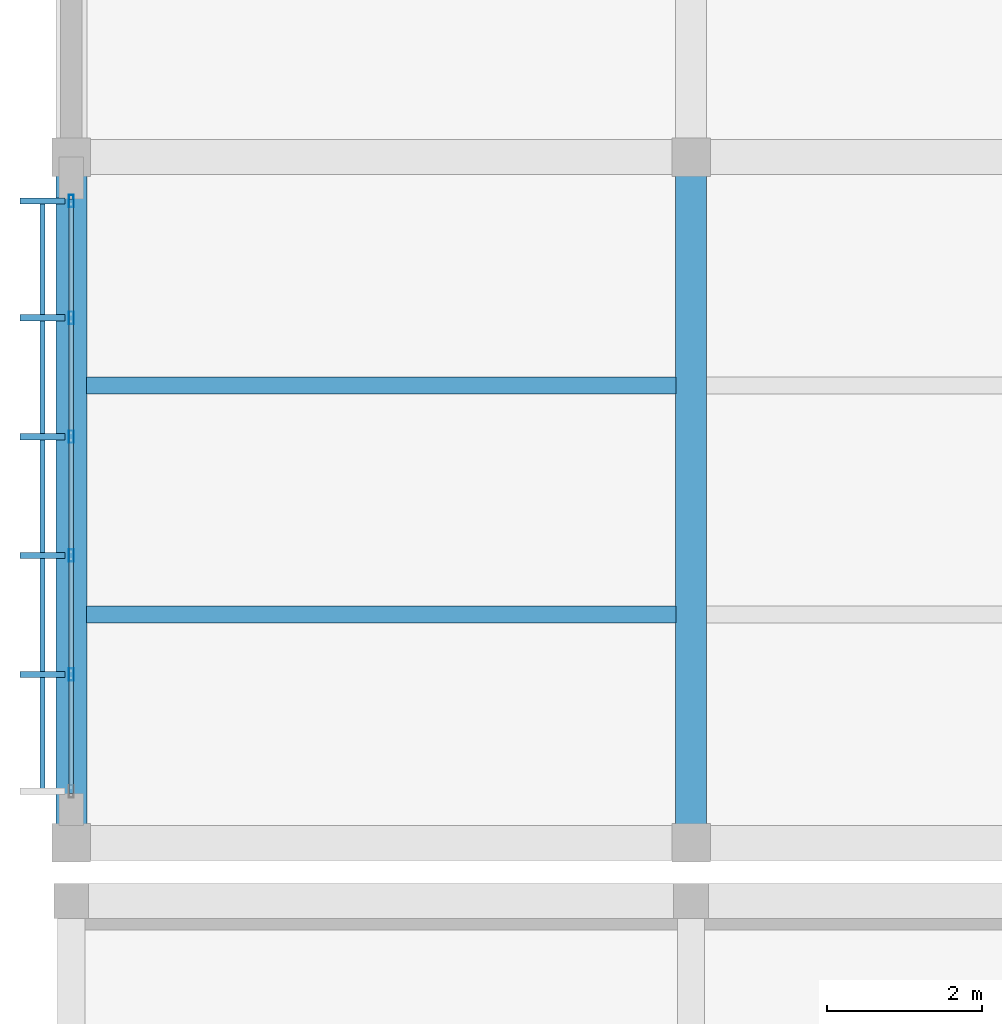
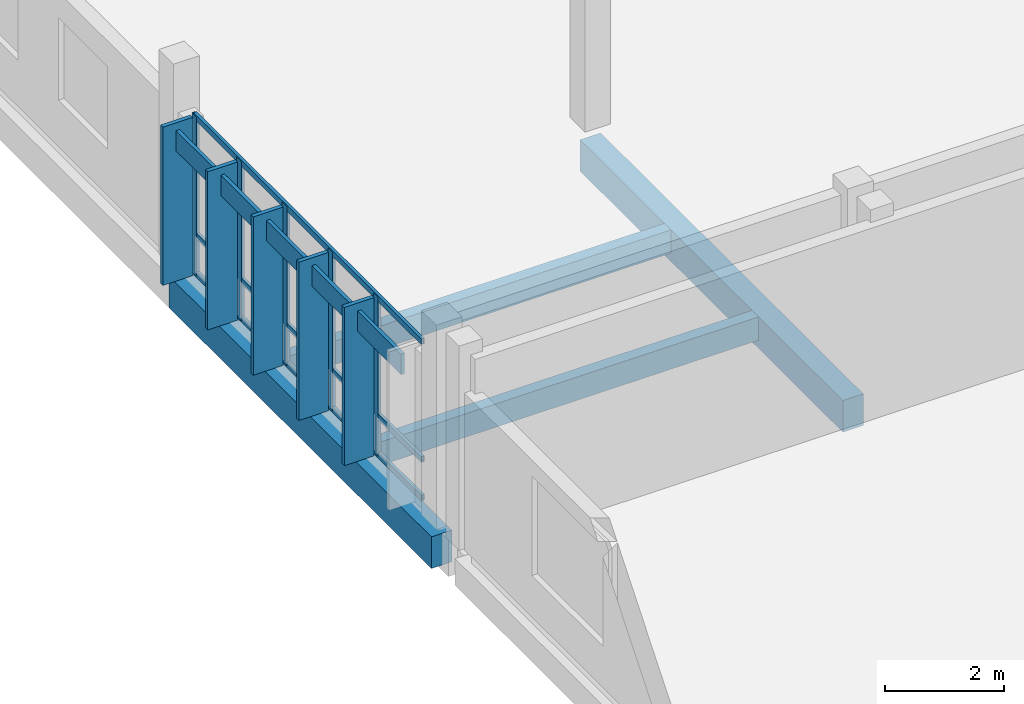
# One storey, part 78 of 182: 14 members, 4 beams, 1 element without a shape of its own.
"""IFC4 building model written with IfcOpenShell, lengths in metres."""

from ifc_helpers import new_model, si_unit, direction, frame, origin, origin_2d, place, context, subcontext, project, spatial, rectangle, hollow_rectangle, extrude, material, material_profile, profile_set, type_object, element, aggregate, save


model = new_model("IFC4")

# Units and contexts
model_context = context("Model", 3, precision=1e-05, world=origin(), true_north=direction((0.0, 1.0)))
body_context = subcontext(model_context, "Body", "Model", "MODEL_VIEW")
ifc_project = project(units=[si_unit("LENGTHUNIT", "METRE"), si_unit("AREAUNIT", "SQUARE_METRE"), si_unit("VOLUMEUNIT", "CUBIC_METRE"), si_unit("PLANEANGLEUNIT", "RADIAN"), si_unit("MASSUNIT", "GRAM", prefix="KILO")], contexts=[model_context])

# Site, building, storey
site_placement = place(None, origin())
site = spatial("IfcSite", under=ifc_project, at=site_placement, CompositionType="ELEMENT")
building_placement = place(site_placement, origin())
building = spatial("IfcBuilding", under=site, at=building_placement, Name="Chiffa Square Polytechnic", CompositionType="ELEMENT")
storey_placement = place(building_placement, frame((0.0, 0.0, 9.60009765625)))
storey = spatial("IfcBuildingStorey", under=building, at=storey_placement, Name="L02", CompositionType="ELEMENT", Elevation=9.60009765625)

# Beams
ifc_material_1 = material(Name="Concrete C35/45", Category="concrete")
ifc_material_profile_1 = material_profile(ifc_material_1, rectangle(XDim=0.39990234375, YDim=0.64990234375, at=origin_2d()), Name="RC 400x650")
ifc_profile_set_1 = profile_set([ifc_material_profile_1], Name="Concrete C35/45")
beam_type_1 = type_object("IfcBeamType", Name="BM-RC-400X650", PredefinedType="BEAM", material=ifc_profile_set_1)
for number, where, z_axis, x_axis, name in (
    (1, (0.0, 94.949951171875, -0.64501953125), (0.0, 1.0, 0.0), (-1.0, 0.0, 0.0), "Primary floor girder BM-V5-L02-Y-0000-0950"),
    (2, (8.0, 94.949951171875, -0.64501953125), (0.0, 1.0, 0.0), (-1.0, 0.0, 0.0), "Primary floor girder BM-V5-L02-Y-0080-0950"),
):
    element("IfcBeam", number, at=place(storey_placement, frame(where, z_axis=z_axis, x_axis=x_axis)), inside=storey, type_object=beam_type_1, Name=name, PredefinedType="BEAM", context=body_context, shape_type="SweptSolid", body=[
        extrude(rectangle(XDim=0.39990234375, YDim=0.64990234375, at=origin_2d()), origin(), (0.0, 0.0, 1.0), 8.85009765625),
    ])

# Curtain wall, members
ifc_material_2 = material(Name="Aluminium EN AW-6060 T66 and glulam shading", Category="wood")
curtain_wall_type = type_object("IfcCurtainWallType", Name="CW-VERT-450X440", PredefinedType="USERDEFINED", material=ifc_material_2)
curtain_wall_placement = place(storey_placement, origin())
curtain_wall = element("IfcCurtainWall", 3, at=curtain_wall_placement, inside=storey, type_object=curtain_wall_type, Name="Curtain wall CW-V5-L02-224", ObjectType="CURTAIN WALL", PredefinedType="USERDEFINED")
ifc_material_3 = material(Name="Aluminium EN AW-6060 T66", Category="aluminium")
ifc_material_profile_2 = material_profile(ifc_material_3, hollow_rectangle(XDim=0.06005859375, YDim=0.159912109375, WallThickness=0.00390625, at=origin_2d()), Name="ALU 60x160x4")
ifc_profile_set_2 = profile_set([ifc_material_profile_2], Name="Aluminium EN AW-6060 T66")
member_type_1 = type_object("IfcMemberType", Name="CWM-ALU-65X150", PredefinedType="MULLION", material=ifc_profile_set_2)
member_1_placement = place(storey_placement, frame((0.0, 103.235107421875, 0.0), z_axis=(0.0, 0.0, 1.0), x_axis=(1.0, 0.0, 0.0)))
member_1 = element("IfcMember", 4, at=member_1_placement, type_object=member_type_1, Name="Curtain wall mullion CW-V5-L02-224-M00", PredefinedType="MULLION", context=body_context, shape_type="SweptSolid", body=[
    extrude(hollow_rectangle(XDim=0.06005859375, YDim=0.159912109375, WallThickness=0.00390625, at=origin_2d()), origin(), (0.0, 0.0, 1.0), 3.27490234375),
])
member_2_placement = place(storey_placement, frame((0.0, 101.72607421875, 0.0), z_axis=(0.0, 0.0, 1.0), x_axis=(1.0, 0.0, 0.0)))
member_2 = element("IfcMember", 5, at=member_2_placement, type_object=member_type_1, Name="Curtain wall mullion CW-V5-L02-224-M01", PredefinedType="MULLION", context=body_context, shape_type="SweptSolid", body=[
    extrude(hollow_rectangle(XDim=0.06005859375, YDim=0.159912109375, WallThickness=0.00390625, at=origin_2d()), origin(), (0.0, 0.0, 1.0), 3.27490234375),
])
member_3_placement = place(storey_placement, frame((0.0, 100.19189453125, 0.0), z_axis=(0.0, 0.0, 1.0), x_axis=(1.0, 0.0, 0.0)))
member_3 = element("IfcMember", 6, at=member_3_placement, type_object=member_type_1, Name="Curtain wall mullion CW-V5-L02-224-M02", PredefinedType="MULLION", context=body_context, shape_type="SweptSolid", body=[
    extrude(hollow_rectangle(XDim=0.06005859375, YDim=0.159912109375, WallThickness=0.00390625, at=origin_2d()), origin(), (0.0, 0.0, 1.0), 3.27490234375),
])
member_4_placement = place(storey_placement, frame((0.0, 98.657958984375, 0.0), z_axis=(0.0, 0.0, 1.0), x_axis=(1.0, 0.0, 0.0)))
member_4 = element("IfcMember", 7, at=member_4_placement, type_object=member_type_1, Name="Curtain wall mullion CW-V5-L02-224-M03", PredefinedType="MULLION", context=body_context, shape_type="SweptSolid", body=[
    extrude(hollow_rectangle(XDim=0.06005859375, YDim=0.159912109375, WallThickness=0.00390625, at=origin_2d()), origin(), (0.0, 0.0, 1.0), 3.27490234375),
])
member_5_placement = place(storey_placement, frame((0.0, 97.1240234375, 0.0), z_axis=(0.0, 0.0, 1.0), x_axis=(1.0, 0.0, 0.0)))
member_5 = element("IfcMember", 8, at=member_5_placement, type_object=member_type_1, Name="Curtain wall mullion CW-V5-L02-224-M04", PredefinedType="MULLION", context=body_context, shape_type="SweptSolid", body=[
    extrude(hollow_rectangle(XDim=0.06005859375, YDim=0.159912109375, WallThickness=0.00390625, at=origin_2d()), origin(), (0.0, 0.0, 1.0), 3.27490234375),
])
ifc_material_4 = material(Name="Glulam GL28h", Category="wood")
ifc_material_profile_3 = material_profile(ifc_material_4, rectangle(XDim=0.080078125, YDim=0.580078125, at=origin_2d()), Name="GL28h 80x580")
ifc_profile_set_3 = profile_set([ifc_material_profile_3], Name="Glulam GL28h")
member_type_2 = type_object("IfcMemberType", Name="CWM-GL-80X580", PredefinedType="MULLION", material=ifc_profile_set_3)
member_6_placement = place(storey_placement, frame((-0.3720703125, 103.235107421875, 0.010009765625), z_axis=(0.0, 0.0, 1.0), x_axis=(0.0, -1.0, 0.0)))
member_6 = element("IfcMember", 9, at=member_6_placement, type_object=member_type_2, Name="Exterior glulam solar fin CW-V5-L02-224-FN00", PredefinedType="MULLION", context=body_context, shape_type="SweptSolid", body=[
    extrude(rectangle(XDim=0.080078125, YDim=0.580078125, at=origin_2d()), origin(), (0.0, 0.0, 1.0), 3.2548828125),
])
member_7_placement = place(storey_placement, frame((-0.3720703125, 101.72607421875, 0.010009765625), z_axis=(0.0, 0.0, 1.0), x_axis=(0.0, -1.0, 0.0)))
member_7 = element("IfcMember", 10, at=member_7_placement, type_object=member_type_2, Name="Exterior glulam solar fin CW-V5-L02-224-FN01", PredefinedType="MULLION", context=body_context, shape_type="SweptSolid", body=[
    extrude(rectangle(XDim=0.080078125, YDim=0.580078125, at=origin_2d()), origin(), (0.0, 0.0, 1.0), 3.2548828125),
])
member_8_placement = place(storey_placement, frame((-0.3720703125, 100.19189453125, 0.010009765625), z_axis=(0.0, 0.0, 1.0), x_axis=(0.0, -1.0, 0.0)))
member_8 = element("IfcMember", 11, at=member_8_placement, type_object=member_type_2, Name="Exterior glulam solar fin CW-V5-L02-224-FN02", PredefinedType="MULLION", context=body_context, shape_type="SweptSolid", body=[
    extrude(rectangle(XDim=0.080078125, YDim=0.580078125, at=origin_2d()), origin(), (0.0, 0.0, 1.0), 3.2548828125),
])
member_9_placement = place(storey_placement, frame((-0.3720703125, 98.657958984375, 0.010009765625), z_axis=(0.0, 0.0, 1.0), x_axis=(0.0, -1.0, 0.0)))
member_9 = element("IfcMember", 12, at=member_9_placement, type_object=member_type_2, Name="Exterior glulam solar fin CW-V5-L02-224-FN03", PredefinedType="MULLION", context=body_context, shape_type="SweptSolid", body=[
    extrude(rectangle(XDim=0.080078125, YDim=0.580078125, at=origin_2d()), origin(), (0.0, 0.0, 1.0), 3.2548828125),
])
member_10_placement = place(storey_placement, frame((-0.3720703125, 97.1240234375, 0.010009765625), z_axis=(0.0, 0.0, 1.0), x_axis=(0.0, -1.0, 0.0)))
member_10 = element("IfcMember", 13, at=member_10_placement, type_object=member_type_2, Name="Exterior glulam solar fin CW-V5-L02-224-FN04", PredefinedType="MULLION", context=body_context, shape_type="SweptSolid", body=[
    extrude(rectangle(XDim=0.080078125, YDim=0.580078125, at=origin_2d()), origin(), (0.0, 0.0, 1.0), 3.2548828125),
])
ifc_material_profile_4 = material_profile(ifc_material_3, hollow_rectangle(XDim=0.06005859375, YDim=0.1201171875, WallThickness=0.00390625, at=origin_2d()), Name="ALU 60x120x4")
ifc_profile_set_4 = profile_set([ifc_material_profile_4], Name="Aluminium EN AW-6060 T66")
member_type_3 = type_object("IfcMemberType", Name="CWT-ALU-65X120", PredefinedType="USERDEFINED", material=ifc_profile_set_4)
member_11_placement = place(storey_placement, frame((0.0, 103.261962890625, 0.02978515625), z_axis=(0.0, -1.0, 0.0), x_axis=(1.0, 0.0, 0.0)))
member_11 = element("IfcMember", 14, at=member_11_placement, type_object=member_type_3, Name="Curtain wall transom CW-V5-L02-224-T01", ObjectType="TRANSOM", PredefinedType="USERDEFINED", context=body_context, shape_type="SweptSolid", body=[
    extrude(hollow_rectangle(XDim=0.06005859375, YDim=0.1201171875, WallThickness=0.00390625, at=origin_2d()), origin(), (0.0, 0.0, 1.0), 7.674072265625),
])
member_12_placement = place(storey_placement, frame((0.0, 103.261962890625, 0.81982421875), z_axis=(0.0, -1.0, 0.0), x_axis=(1.0, 0.0, 0.0)))
member_12 = element("IfcMember", 15, at=member_12_placement, type_object=member_type_3, Name="Curtain wall transom CW-V5-L02-224-T02", ObjectType="TRANSOM", PredefinedType="USERDEFINED", context=body_context, shape_type="SweptSolid", body=[
    extrude(hollow_rectangle(XDim=0.06005859375, YDim=0.1201171875, WallThickness=0.00390625, at=origin_2d()), origin(), (0.0, 0.0, 1.0), 7.674072265625),
])
member_13_placement = place(storey_placement, frame((0.0, 103.261962890625, 3.244873046875), z_axis=(0.0, -1.0, 0.0), x_axis=(1.0, 0.0, 0.0)))
member_13 = element("IfcMember", 16, at=member_13_placement, type_object=member_type_3, Name="Curtain wall transom CW-V5-L02-224-T03", ObjectType="TRANSOM", PredefinedType="USERDEFINED", context=body_context, shape_type="SweptSolid", body=[
    extrude(hollow_rectangle(XDim=0.06005859375, YDim=0.1201171875, WallThickness=0.00390625, at=origin_2d()), origin(), (0.0, 0.0, 1.0), 7.674072265625),
])
ifc_material_profile_5 = material_profile(ifc_material_4, rectangle(XDim=0.070068359375, YDim=0.419921875, at=origin_2d()), Name="GL28h 70x420")
ifc_profile_set_5 = profile_set([ifc_material_profile_5], Name="Glulam GL28h")
member_type_4 = type_object("IfcMemberType", Name="CWT-GL-70X420", PredefinedType="USERDEFINED", material=ifc_profile_set_5)
member_14_placement = place(storey_placement, frame((-0.3720703125, 103.235107421875, 2.89501953125), z_axis=(0.0, -1.0, 0.0), x_axis=(1.0, 0.0, 0.0)))
member_14 = element("IfcMember", 17, at=member_14_placement, type_object=member_type_4, Name="Exterior glulam brise-soleil CW-V5-L02-224-BS01", ObjectType="TRANSOM", PredefinedType="USERDEFINED", context=body_context, shape_type="SweptSolid", body=[
    extrude(rectangle(XDim=0.070068359375, YDim=0.419921875, at=origin_2d()), origin(), (0.0, 0.0, 1.0), 7.6201171875),
])
aggregate(curtain_wall, [member_1, member_6, member_2, member_7, member_3, member_8, member_4, member_9, member_5, member_10, member_11, member_12, member_13, member_14])

# Beams
ifc_material_profile_6 = material_profile(ifc_material_4, rectangle(XDim=0.219970703125, YDim=0.47998046875, at=origin_2d()), Name="GL28h 220x480")
ifc_profile_set_6 = profile_set([ifc_material_profile_6], Name="Glulam GL28h")
beam_type_2 = type_object("IfcBeamType", Name="JST-GL-220X480", PredefinedType="JOIST", material=ifc_profile_set_6)
for number, where, z_axis, x_axis, name in (
    (18, (0.197998046875, 97.89990234375, -0.56005859375), (1.0, 0.0, 0.0), (0.0, 1.0, 0.0), "Secondary floor joist JST-V5-L02-0000-0979"),
    (19, (0.197998046875, 100.85009765625, -0.56005859375), (1.0, 0.0, 0.0), (0.0, 1.0, 0.0), "Secondary floor joist JST-V5-L02-0000-1008"),
):
    element("IfcBeam", number, at=place(storey_placement, frame(where, z_axis=z_axis, x_axis=x_axis)), inside=storey, type_object=beam_type_2, Name=name, PredefinedType="JOIST", context=body_context, shape_type="SweptSolid", body=[
        extrude(rectangle(XDim=0.219970703125, YDim=0.47998046875, at=origin_2d()), origin(), (0.0, 0.0, 1.0), 7.60400390625),
    ])

save(model, "model.ifc")
